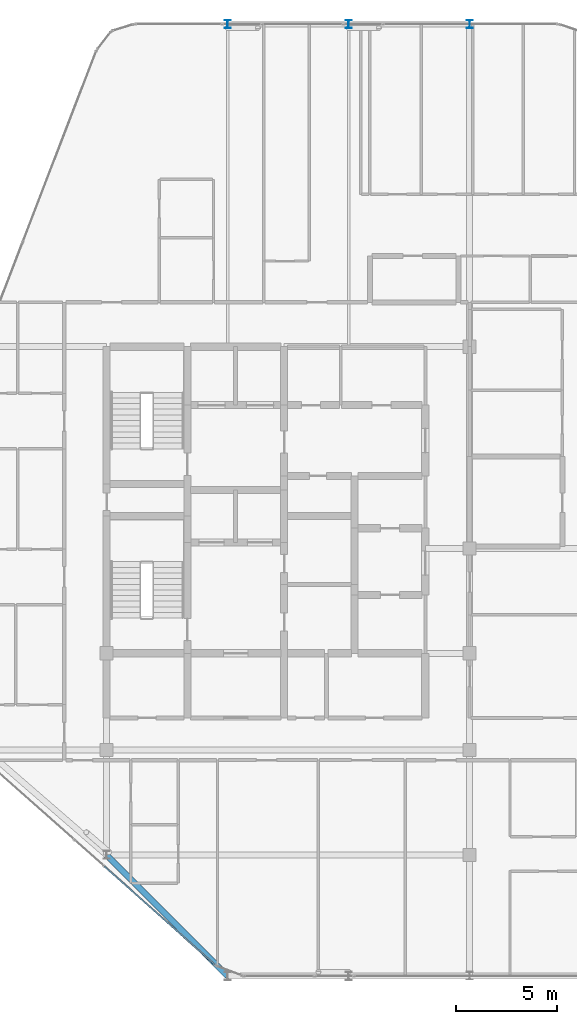
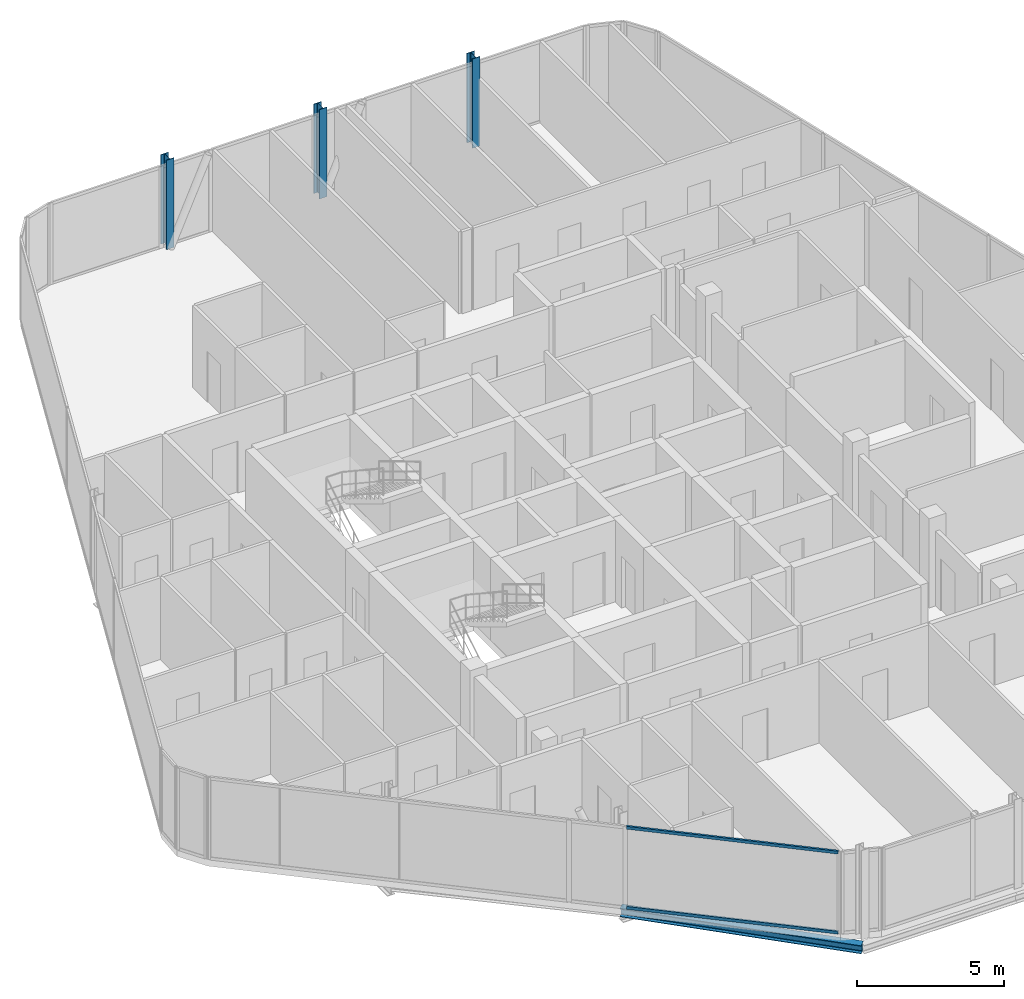
# One storey, part 2 of 27: 3 columns, 2 members, 1 beam, 1 element without a shape of its own.
"""IFC4 building model written with IfcOpenShell, lengths in metres."""

from ifc_helpers import new_model, si_unit, direction, frame, origin, origin_2d, place, context, subcontext, project, spatial, hollow_rectangle, i_section, extrude, material, layer, layer_set, material_profile, profile_set, type_object, element, aggregate, save


model = new_model("IFC4")

# Units and contexts
model_context = context("Model", 3, precision=1e-05, world=origin(), true_north=direction((0.0, 1.0)))
body_context = subcontext(model_context, "Body", "Model", "MODEL_VIEW")
ifc_project = project(units=[si_unit("LENGTHUNIT", "METRE"), si_unit("AREAUNIT", "SQUARE_METRE"), si_unit("VOLUMEUNIT", "CUBIC_METRE"), si_unit("PLANEANGLEUNIT", "RADIAN"), si_unit("MASSUNIT", "GRAM", prefix="KILO")], contexts=[model_context])

# Site, building, storey
site_placement = place(None, origin())
site = spatial("IfcSite", under=ifc_project, at=site_placement, CompositionType="ELEMENT")
building_placement = place(site_placement, origin())
building = spatial("IfcBuilding", under=site, at=building_placement, Name="Keshet Zoharim Tower", CompositionType="ELEMENT")
storey_placement = place(building_placement, frame((0.0, 0.0, 291.699951171875)))
storey = spatial("IfcBuildingStorey", under=building, at=storey_placement, Name="L73", CompositionType="ELEMENT", Elevation=291.699951171875)

# Columns
ifc_material_1 = material(Name="Steel S355", Category="steel")
ifc_material_profile_1 = material_profile(ifc_material_1, i_section(OverallWidth=0.300048828125, OverallDepth=0.39990234375, WebThickness=0.013427734375, FlangeThickness=0.02392578125, FilletRadius=0.027099609375, at=origin_2d()), Name="HEB400")
ifc_profile_set_1 = profile_set([ifc_material_profile_1], Name="Steel S355")
column_type = type_object("IfcColumnType", Name="COL-HEB400", PredefinedType="COLUMN", material=ifc_profile_set_1)
for number, where, z_axis, x_axis, name in (
    (1, (21.0, 53.89990234375, 0.0), (0.0, 0.0, 1.0), (1.0, 0.0, 0.0), "L73 Column 4L"),
    (2, (27.0, 53.89990234375, 0.0), (0.0, 0.0, 1.0), (1.0, 0.0, 0.0), "L73 Column 5L"),
    (3, (33.0, 53.89990234375, 0.0), (0.0, 0.0, 1.0), (1.0, 0.0, 0.0), "L73 Column 6L"),
):
    element("IfcColumn", number, at=place(storey_placement, frame(where, z_axis=z_axis, x_axis=x_axis)), inside=storey, type_object=column_type, Name=name, PredefinedType="COLUMN", context=body_context, shape_type="SweptSolid", body=[
        extrude(i_section(OverallWidth=0.300048828125, OverallDepth=0.39990234375, WebThickness=0.013427734375, FlangeThickness=0.02392578125, FilletRadius=0.027099609375, at=origin_2d()), origin(), (0.0, 0.0, 1.0), 3.699951171875),
    ])

# Beam
ifc_material_profile_2 = material_profile(ifc_material_1, i_section(OverallWidth=0.300048828125, OverallDepth=0.340087890625, WebThickness=0.011962890625, FlangeThickness=0.021484375, FilletRadius=0.027099609375, at=origin_2d()), Name="HEB340")
ifc_profile_set_2 = profile_set([ifc_material_profile_2], Name="Steel S355")
beam_type = type_object("IfcBeamType", Name="BM-SPN-HB340", PredefinedType="SPANDREL", material=ifc_profile_set_2)
beam_placement = place(storey_placement, frame((21.0, 6.699951171875, -0.47998046875), z_axis=(-0.707106781187, 0.707106781187, 0.0), x_axis=(-0.707106781187, -0.707106781187, 0.0)))
element("IfcBeam", 4, at=beam_placement, inside=storey, type_object=beam_type, Name="L73 Perimeter Spandrel Beam 01", PredefinedType="SPANDREL", context=body_context, shape_type="SweptSolid", body=[
    extrude(i_section(OverallWidth=0.300048828125, OverallDepth=0.340087890625, WebThickness=0.011962890625, FlangeThickness=0.021484375, FilletRadius=0.027099609375, at=origin_2d()), origin(), (0.0, 0.0, 1.0), 8.4853515625),
])

# Curtain wall, members
ifc_material_2 = material(Name="Aluminium 6063-T6", Category="aluminium")
ifc_layer = layer(ifc_material_2, 0.260009765625)
ifc_layer_set = layer_set([ifc_layer], Name="Aluminium 6063-T6")
curtain_wall_type = type_object("IfcCurtainWallType", Name="CW-SYS-06", PredefinedType="NOTDEFINED", material=ifc_layer_set)
curtain_wall_placement = place(storey_placement, origin())
curtain_wall = element("IfcCurtainWall", 5, at=curtain_wall_placement, inside=storey, type_object=curtain_wall_type, Name="L73 Unitised Curtain Wall 16", PredefinedType="NOTDEFINED")
ifc_material_profile_3 = material_profile(ifc_material_2, hollow_rectangle(XDim=0.074951171875, YDim=0.1201171875, WallThickness=0.00390625, at=origin_2d()), Name="TRN-75x120")
ifc_profile_set_3 = profile_set([ifc_material_profile_3], Name="Aluminium 6063-T6")
member_type = type_object("IfcMemberType", Name="CWT-T12", PredefinedType="USERDEFINED", material=ifc_profile_set_3)
member_1_placement = place(storey_placement, frame((20.379638671875, 7.25146484375, 0.03515625), z_axis=(-0.747412985939, 0.664359713145, 0.0), x_axis=(-0.664359713145, -0.747412985939, 0.0)))
member_1 = element("IfcMember", 6, at=member_1_placement, type_object=member_type, Name="CW-06 transom 1.1", ObjectType="TRANSOM", PredefinedType="USERDEFINED", context=body_context, shape_type="SweptSolid", body=[
    extrude(hollow_rectangle(XDim=0.074951171875, YDim=0.1201171875, WallThickness=0.00390625, at=origin_2d()), origin(), (0.0, 0.0, 1.0), 7.345947265625),
])
member_2_placement = place(storey_placement, frame((20.379638671875, 7.25146484375, 3.35498046875), z_axis=(-0.747412985939, 0.664359713145, 0.0), x_axis=(-0.664359713145, -0.747412985939, 0.0)))
member_2 = element("IfcMember", 7, at=member_2_placement, type_object=member_type, Name="CW-06 transom 1.2", ObjectType="TRANSOM", PredefinedType="USERDEFINED", context=body_context, shape_type="SweptSolid", body=[
    extrude(hollow_rectangle(XDim=0.074951171875, YDim=0.1201171875, WallThickness=0.00390625, at=origin_2d()), origin(), (0.0, 0.0, 1.0), 7.345947265625),
])
aggregate(curtain_wall, [member_1, member_2])

save(model, "model.ifc")
